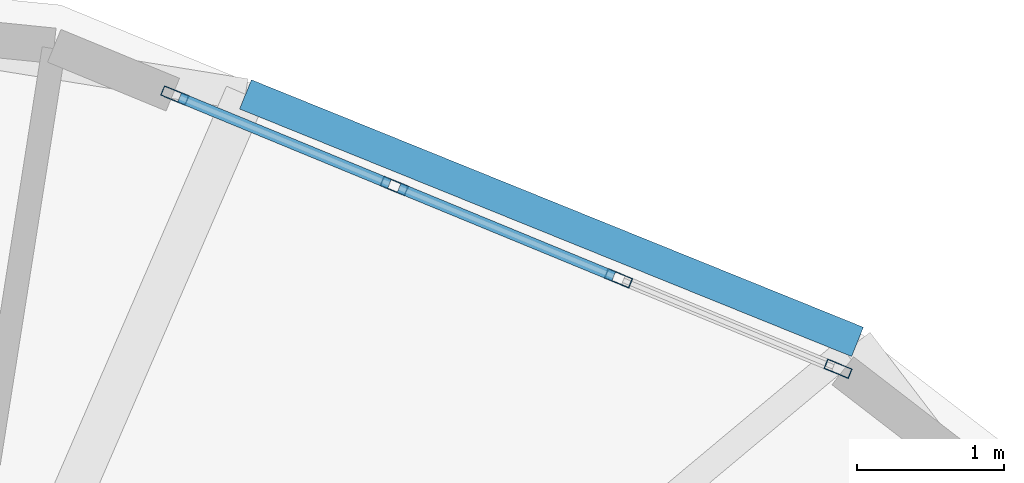
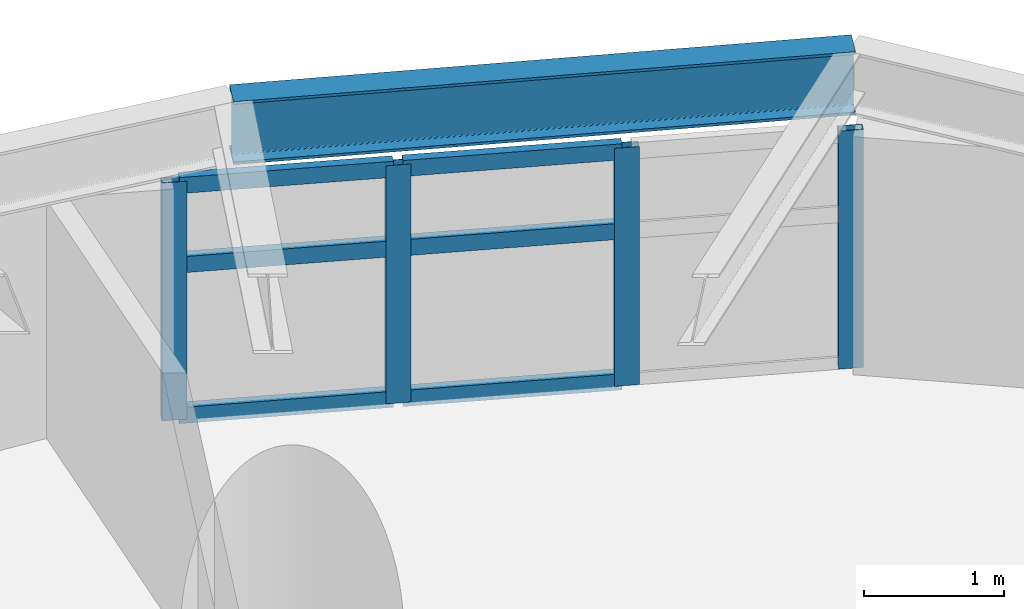
# One storey, part 7 of 18: 10 members, 1 beam, 1 element without a shape of its own.
"""IFC4 building model written with IfcOpenShell, lengths in metres."""

from ifc_helpers import new_model, si_unit, direction, frame, origin, origin_2d, place, context, subcontext, project, spatial, hollow_rectangle, i_section, extrude, material, layer, layer_set, material_profile, profile_set, type_object, element, aggregate, save


model = new_model("IFC4")

# Units and contexts
model_context = context("Model", 3, precision=1e-05, world=origin(), true_north=direction((0.0, 1.0)))
body_context = subcontext(model_context, "Body", "Model", "MODEL_VIEW")
ifc_project = project(units=[si_unit("LENGTHUNIT", "METRE"), si_unit("AREAUNIT", "SQUARE_METRE"), si_unit("VOLUMEUNIT", "CUBIC_METRE"), si_unit("PLANEANGLEUNIT", "RADIAN"), si_unit("MASSUNIT", "GRAM", prefix="KILO")], contexts=[model_context])

# Site, building, storey
site_placement = place(None, origin())
site = spatial("IfcSite", under=ifc_project, at=site_placement, CompositionType="ELEMENT")
building_placement = place(site_placement, origin())
building = spatial("IfcBuilding", under=site, at=building_placement, Name="Cununo Teusaquillo Station Towers", CompositionType="ELEMENT")
storey_placement = place(building_placement, frame((0.0, 0.0, 54.010009765625)))
storey = spatial("IfcBuildingStorey", under=building, at=storey_placement, Name="L16", CompositionType="ELEMENT", Elevation=54.010009765625)

# Beam
ifc_material_1 = material(Name="Steel ASTM A572 Grade 50", Category="steel")
ifc_material_profile_1 = material_profile(ifc_material_1, i_section(OverallWidth=0.214111328125, OverallDepth=0.549072265625, WebThickness=0.0146484375, FlangeThickness=0.023681640625, FilletRadius=0.014892578125, at=origin_2d()), Name="W21X93")
ifc_profile_set_1 = profile_set([ifc_material_profile_1], Name="Steel ASTM A572 Grade 50")
beam_type = type_object("IfcBeamType", Name="BM-RING-Z1", PredefinedType="SPANDREL", material=ifc_profile_set_1)
beam_placement = place(storey_placement, frame((63.9443359375, 39.418212890625, 2.37548828125), z_axis=(-0.927072194447, 0.374882843411, 0.0), x_axis=(-0.374882843411, -0.927072194447, 0.0)))
element("IfcBeam", 1, at=beam_placement, inside=storey, type_object=beam_type, Name="L16 Tower B Spandrel Ring Beam 02", PredefinedType="SPANDREL", context=body_context, shape_type="SweptSolid", body=[
    extrude(i_section(OverallWidth=0.214111328125, OverallDepth=0.549072265625, WebThickness=0.0146484375, FlangeThickness=0.023681640625, FilletRadius=0.014892578125, at=origin_2d()), origin(), (0.0, 0.0, 1.0), 4.48046875),
])

# Curtain wall, members
ifc_material_2 = material(Name="Operable acoustic tinted low-E double glazing", Category="glass")
ifc_layer = layer(ifc_material_2, 0.179931640625)
ifc_layer_set = layer_set([ifc_layer], Name="Operable acoustic tinted low-E double glazing")
curtain_wall_type = type_object("IfcCurtainWallType", Name="CW-SYS-03", PredefinedType="USERDEFINED", material=ifc_layer_set)
curtain_wall_placement = place(storey_placement, origin())
curtain_wall = element("IfcCurtainWall", 2, at=curtain_wall_placement, inside=storey, type_object=curtain_wall_type, Name="L16 Tower B Facade Curtain Wall C01", ObjectType="OPERABLE GLAZING", PredefinedType="USERDEFINED")
ifc_material_3 = material(Name="Anodised dark bronze aluminium EN AW-6063-T6", Category="aluminium")
ifc_material_profile_2 = material_profile(ifc_material_3, hollow_rectangle(XDim=0.070068359375, YDim=0.179931640625, WallThickness=0.00390625, at=origin_2d()), Name="CW-MULL-70x180")
ifc_profile_set_2 = profile_set([ifc_material_profile_2], Name="Anodised dark bronze aluminium EN AW-6063-T6")
member_type_1 = type_object("IfcMemberType", Name="CWM-180", PredefinedType="MULLION", material=ifc_profile_set_2)
member_1_placement = place(storey_placement, frame((59.310791015625, 41.090576171875, 0.0), z_axis=(0.0, 0.0, 1.0), x_axis=(0.381006438517, 0.924572384299, 0.0)))
member_1 = element("IfcMember", 3, at=member_1_placement, type_object=member_type_1, Name="CW-03 mullion 1", PredefinedType="MULLION", context=body_context, shape_type="SweptSolid", body=[
    extrude(hollow_rectangle(XDim=0.070068359375, YDim=0.179931640625, WallThickness=0.00390625, at=origin_2d()), origin(), (0.0, 0.0, 1.0), 2.072998046875),
])
member_2_placement = place(storey_placement, frame((60.800537109375, 40.4765625, 0.0), z_axis=(0.0, 0.0, 1.0), x_axis=(0.381006438517, 0.924572384299, 0.0)))
member_2 = element("IfcMember", 4, at=member_2_placement, type_object=member_type_1, Name="CW-03 mullion 2", PredefinedType="MULLION", context=body_context, shape_type="SweptSolid", body=[
    extrude(hollow_rectangle(XDim=0.070068359375, YDim=0.179931640625, WallThickness=0.00390625, at=origin_2d()), origin(), (0.0, 0.0, 1.0), 2.072998046875),
])
member_3_placement = place(storey_placement, frame((62.322509765625, 39.849365234375, 0.0), z_axis=(0.0, 0.0, 1.0), x_axis=(0.381006438517, 0.924572384299, 0.0)))
member_3 = element("IfcMember", 5, at=member_3_placement, type_object=member_type_1, Name="CW-03 mullion 3", PredefinedType="MULLION", context=body_context, shape_type="SweptSolid", body=[
    extrude(hollow_rectangle(XDim=0.070068359375, YDim=0.179931640625, WallThickness=0.00390625, at=origin_2d()), origin(), (0.0, 0.0, 1.0), 2.072998046875),
])
member_4_placement = place(storey_placement, frame((63.812255859375, 39.235595703125, 0.0), z_axis=(0.0, 0.0, 1.0), x_axis=(0.381006438517, 0.924572384299, 0.0)))
member_4 = element("IfcMember", 6, at=member_4_placement, type_object=member_type_1, Name="CW-03 mullion 4", PredefinedType="MULLION", context=body_context, shape_type="SweptSolid", body=[
    extrude(hollow_rectangle(XDim=0.070068359375, YDim=0.179931640625, WallThickness=0.00390625, at=origin_2d()), origin(), (0.0, 0.0, 1.0), 2.072998046875),
])
ifc_material_4 = material(Name="Anodised dark bronze aluminium EN AW-6063-T6", Category="aluminium")
ifc_material_profile_3 = material_profile(ifc_material_4, hollow_rectangle(XDim=0.070068359375, YDim=0.139892578125, WallThickness=0.00390625, at=origin_2d()), Name="CW-TRAN-70x140")
ifc_profile_set_3 = profile_set([ifc_material_profile_3], Name="Anodised dark bronze aluminium EN AW-6063-T6")
member_type_2 = type_object("IfcMemberType", Name="CWT-140", PredefinedType="USERDEFINED", material=ifc_profile_set_3)
member_5_placement = place(storey_placement, frame((59.34326171875, 41.0771484375, 0.034912109375), z_axis=(0.924569788206, -0.381012738286, 0.0), x_axis=(0.381012738286, 0.924569788206, 0.0)))
member_5 = element("IfcMember", 7, at=member_5_placement, type_object=member_type_2, Name="CW-03 transom 1.1", ObjectType="TRANSOM", PredefinedType="USERDEFINED", context=body_context, shape_type="SweptSolid", body=[
    extrude(hollow_rectangle(XDim=0.070068359375, YDim=0.139892578125, WallThickness=0.00390625, at=origin_2d()), origin(), (0.0, 0.0, 1.0), 1.541015625),
])
member_6_placement = place(storey_placement, frame((59.34326171875, 41.0771484375, 1.346923828125), z_axis=(0.924569788206, -0.381012738286, 0.0), x_axis=(0.381012738286, 0.924569788206, 0.0)))
member_6 = element("IfcMember", 8, at=member_6_placement, type_object=member_type_2, Name="CW-03 transom 1.2", ObjectType="TRANSOM", PredefinedType="USERDEFINED", context=body_context, shape_type="SweptSolid", body=[
    extrude(hollow_rectangle(XDim=0.070068359375, YDim=0.139892578125, WallThickness=0.00390625, at=origin_2d()), origin(), (0.0, 0.0, 1.0), 1.541015625),
])
member_7_placement = place(storey_placement, frame((59.34326171875, 41.0771484375, 2.0380859375), z_axis=(0.924569788206, -0.381012738286, 0.0), x_axis=(0.381012738286, 0.924569788206, 0.0)))
member_7 = element("IfcMember", 9, at=member_7_placement, type_object=member_type_2, Name="CW-03 transom 1.3", ObjectType="TRANSOM", PredefinedType="USERDEFINED", context=body_context, shape_type="SweptSolid", body=[
    extrude(hollow_rectangle(XDim=0.070068359375, YDim=0.139892578125, WallThickness=0.00390625, at=origin_2d()), origin(), (0.0, 0.0, 1.0), 1.541015625),
])
member_8_placement = place(storey_placement, frame((60.832763671875, 40.46337890625, 0.034912109375), z_axis=(0.924559362958, -0.381038035329, 0.0), x_axis=(0.381038035329, 0.924559362958, 0.0)))
member_8 = element("IfcMember", 10, at=member_8_placement, type_object=member_type_2, Name="CW-03 transom 2.1", ObjectType="TRANSOM", PredefinedType="USERDEFINED", context=body_context, shape_type="SweptSolid", body=[
    extrude(hollow_rectangle(XDim=0.070068359375, YDim=0.139892578125, WallThickness=0.00390625, at=origin_2d()), origin(), (0.0, 0.0, 1.0), 1.576171875),
])
member_9_placement = place(storey_placement, frame((60.832763671875, 40.46337890625, 1.346923828125), z_axis=(0.924559362958, -0.381038035329, 0.0), x_axis=(0.381038035329, 0.924559362958, 0.0)))
member_9 = element("IfcMember", 11, at=member_9_placement, type_object=member_type_2, Name="CW-03 transom 2.2", ObjectType="TRANSOM", PredefinedType="USERDEFINED", context=body_context, shape_type="SweptSolid", body=[
    extrude(hollow_rectangle(XDim=0.070068359375, YDim=0.139892578125, WallThickness=0.00390625, at=origin_2d()), origin(), (0.0, 0.0, 1.0), 1.576171875),
])
member_10_placement = place(storey_placement, frame((60.832763671875, 40.46337890625, 2.0380859375), z_axis=(0.924559362958, -0.381038035329, 0.0), x_axis=(0.381038035329, 0.924559362958, 0.0)))
member_10 = element("IfcMember", 12, at=member_10_placement, type_object=member_type_2, Name="CW-03 transom 2.3", ObjectType="TRANSOM", PredefinedType="USERDEFINED", context=body_context, shape_type="SweptSolid", body=[
    extrude(hollow_rectangle(XDim=0.070068359375, YDim=0.139892578125, WallThickness=0.00390625, at=origin_2d()), origin(), (0.0, 0.0, 1.0), 1.576171875),
])
aggregate(curtain_wall, [member_1, member_2, member_3, member_4, member_5, member_6, member_7, member_8, member_9, member_10])

save(model, "model.ifc")
